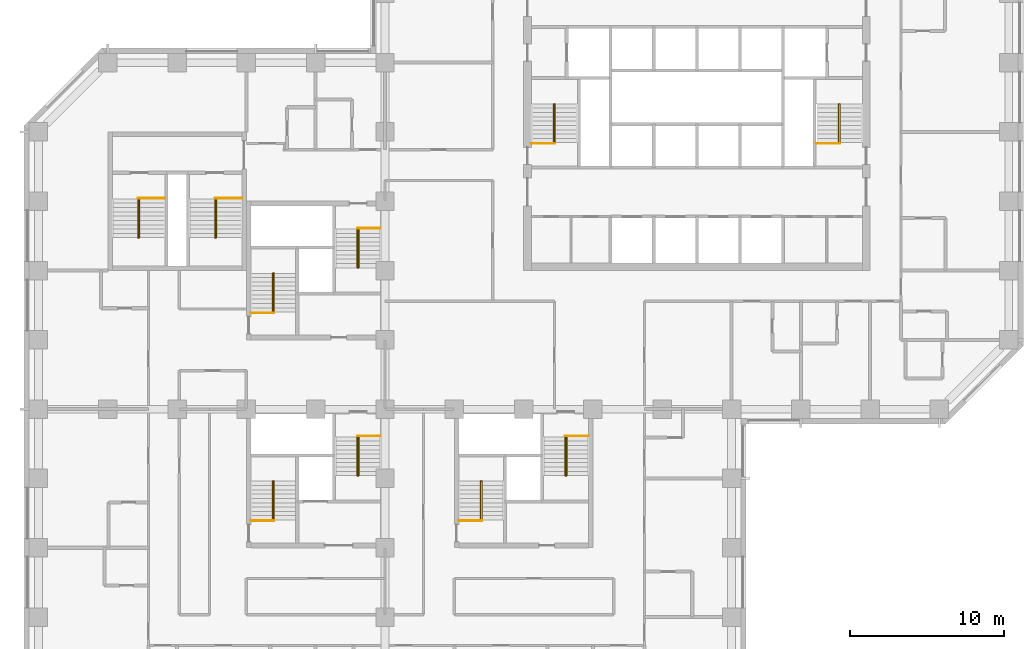
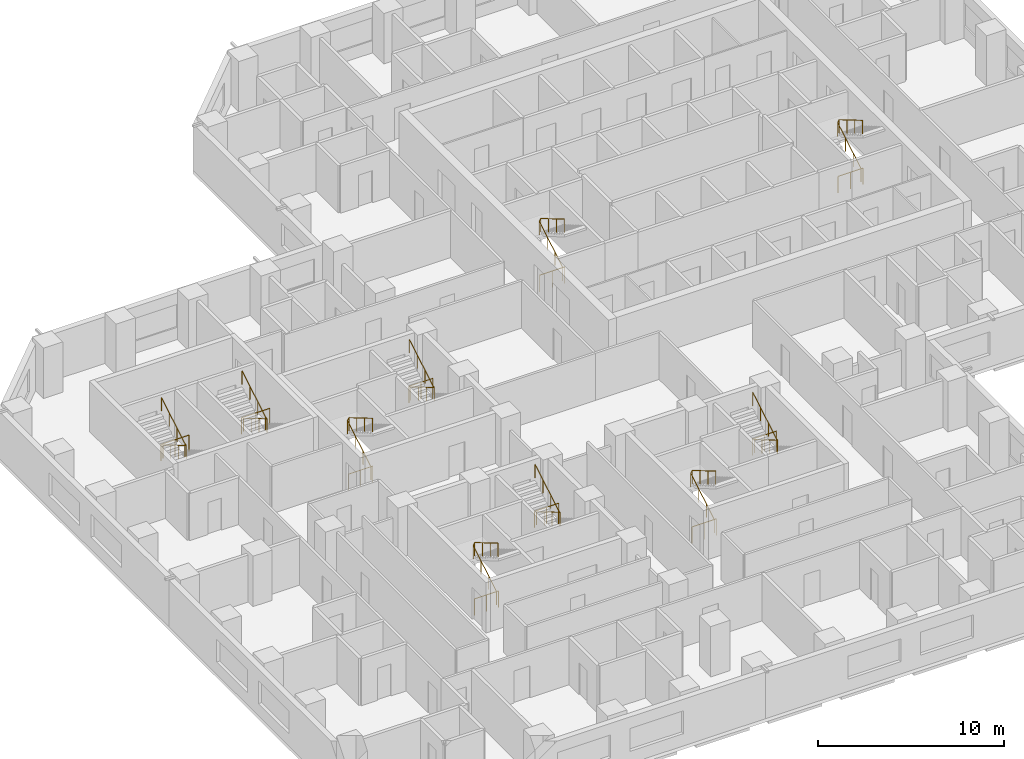
# One storey, part 13 of 13: 20 railings.
"""IFC4 building model written with IfcOpenShell, lengths in metres."""

from ifc_helpers import new_model, si_unit, direction, frame, origin, origin_2d, place, context, subcontext, project, spatial, circle, extrude, material, type_object, element, save


model = new_model("IFC4")

# Units and contexts
model_context = context("Model", 3, precision=1e-05, world=origin(), true_north=direction((0.0, 1.0)))
body_context = subcontext(model_context, "Body", "Model", "MODEL_VIEW")
ifc_project = project(units=[si_unit("LENGTHUNIT", "METRE"), si_unit("AREAUNIT", "SQUARE_METRE"), si_unit("VOLUMEUNIT", "CUBIC_METRE"), si_unit("PLANEANGLEUNIT", "RADIAN"), si_unit("MASSUNIT", "GRAM", prefix="KILO")], contexts=[model_context])

# Site, building, storey
site_placement = place(None, origin())
site = spatial("IfcSite", under=ifc_project, at=site_placement, CompositionType="ELEMENT")
building_placement = place(site_placement, origin())
building = spatial("IfcBuilding", under=site, at=building_placement, Name="Quoin Convention Tower", CompositionType="ELEMENT")
storey_placement = place(building_placement, frame((0.0, 0.0, 62.699951171875)))
storey = spatial("IfcBuildingStorey", under=building, at=storey_placement, Name="L16", CompositionType="ELEMENT", Elevation=62.699951171875)

# Railings
ifc_material = material(Name="Stainless steel", Category="steel")
railing_type_1 = type_object("IfcRailingType", Name="Stair handrail 900", PredefinedType="HANDRAIL", material=ifc_material)
for number, where, name in (
    (1, (46.955078125, 57.800048828125, 0.1650390625), "SD1 handrail 1"),
    (2, (65.455078125, 57.800048828125, 0.1650390625), "SD2 handrail 1"),
    (3, (28.705078125, 46.800048828125, 0.1650390625), "SD3 handrail 1"),
):
    element("IfcRailing", number, at=place(storey_placement, frame(where)), inside=storey, type_object=railing_type_1, Name=name, PredefinedType="HANDRAIL", context=body_context, shape_type="SweptSolid", body=[
        extrude(circle(Radius=0.02392578125, at=origin_2d()), frame((0.0, 0.0, 0.8759765625), z_axis=(0.0, 0.86152411907, 0.507716645641), x_axis=(-1.0, 0.0, 0.0)), (0.0, 0.0, 1.0), 2.925048828125),
        extrude(circle(Radius=0.02392578125, at=origin_2d()), frame((0.0, 2.52001953125, 2.36083984375), z_axis=(0.478669852, 0.0, 0.877994973098), x_axis=(0.0, 1.0, 0.0)), (0.0, 0.0, 1.0), 0.187744140625),
        extrude(circle(Radius=0.02392578125, at=origin_2d()), frame((0.08984375, 2.52001953125, 2.52587890625), z_axis=(0.0, -0.86152411907, 0.507716645641), x_axis=(1.0, 0.0, 0.0)), (0.0, 0.0, 1.0), 2.925048828125),
        extrude(circle(Radius=0.02099609375, at=origin_2d()), origin(), (0.0, 0.0, 1.0), 0.851806640625),
        extrude(circle(Radius=0.02099609375, at=origin_2d()), frame((0.0, 0.840087890625, 0.4951171875)), (0.0, 0.0, 1.0), 0.851806640625),
        extrude(circle(Radius=0.02099609375, at=origin_2d()), frame((0.0, 1.679931640625, 0.989990234375)), (0.0, 0.0, 1.0), 0.851806640625),
        extrude(circle(Radius=0.02099609375, at=origin_2d()), frame((0.0, 2.52001953125, 1.485107421875)), (0.0, 0.0, 1.0), 0.851806640625),
        extrude(circle(Radius=0.02099609375, at=origin_2d()), frame((0.08984375, 2.52001953125, 1.64990234375)), (0.0, 0.0, 1.0), 0.851806640625),
        extrude(circle(Radius=0.02099609375, at=origin_2d()), frame((0.08984375, 1.679931640625, 2.14501953125)), (0.0, 0.0, 1.0), 0.851806640625),
        extrude(circle(Radius=0.02099609375, at=origin_2d()), frame((0.08984375, 0.840087890625, 2.639892578125)), (0.0, 0.0, 1.0), 0.851806640625),
        extrude(circle(Radius=0.02099609375, at=origin_2d()), frame((0.08984375, 0.0, 3.135009765625)), (0.0, 0.0, 1.0), 0.851806640625),
    ])
railing_1_placement = place(storey_placement, frame((34.294921875, 52.199951171875, 0.1650390625)))
element("IfcRailing", 4, at=railing_1_placement, inside=storey, type_object=railing_type_1, Name="SD4 handrail 1", PredefinedType="HANDRAIL", context=body_context, shape_type="SweptSolid", body=[
    extrude(circle(Radius=0.02392578125, at=origin_2d()), frame((0.0, 0.0, 0.8759765625), z_axis=(0.0, -0.86152411907, 0.507716645641), x_axis=(1.0, 0.0, 0.0)), (0.0, 0.0, 1.0), 2.925048828125),
    extrude(circle(Radius=0.02392578125, at=origin_2d()), frame((0.0, -2.52001953125, 2.36083984375), z_axis=(-0.478669852, 0.0, 0.877994973098), x_axis=(0.0, -1.0, 0.0)), (0.0, 0.0, 1.0), 0.187744140625),
    extrude(circle(Radius=0.02392578125, at=origin_2d()), frame((-0.08984375, -2.52001953125, 2.52587890625), z_axis=(0.0, 0.86152411907, 0.507716645641), x_axis=(-1.0, 0.0, 0.0)), (0.0, 0.0, 1.0), 2.925048828125),
    extrude(circle(Radius=0.02099609375, at=origin_2d()), origin(), (0.0, 0.0, 1.0), 0.851806640625),
    extrude(circle(Radius=0.02099609375, at=origin_2d()), frame((0.0, -0.840087890625, 0.4951171875)), (0.0, 0.0, 1.0), 0.851806640625),
    extrude(circle(Radius=0.02099609375, at=origin_2d()), frame((0.0, -1.679931640625, 0.989990234375)), (0.0, 0.0, 1.0), 0.851806640625),
    extrude(circle(Radius=0.02099609375, at=origin_2d()), frame((0.0, -2.52001953125, 1.485107421875)), (0.0, 0.0, 1.0), 0.851806640625),
    extrude(circle(Radius=0.02099609375, at=origin_2d()), frame((-0.08984375, -2.52001953125, 1.64990234375)), (0.0, 0.0, 1.0), 0.851806640625),
    extrude(circle(Radius=0.02099609375, at=origin_2d()), frame((-0.08984375, -1.679931640625, 2.14501953125)), (0.0, 0.0, 1.0), 0.851806640625),
    extrude(circle(Radius=0.02099609375, at=origin_2d()), frame((-0.08984375, -0.840087890625, 2.639892578125)), (0.0, 0.0, 1.0), 0.851806640625),
    extrude(circle(Radius=0.02099609375, at=origin_2d()), frame((-0.08984375, 0.0, 3.135009765625)), (0.0, 0.0, 1.0), 0.851806640625),
])
railing_2_placement = place(storey_placement, frame((42.205078125, 33.300048828125, 0.1650390625)))
element("IfcRailing", 5, at=railing_2_placement, inside=storey, type_object=railing_type_1, Name="SD5 handrail 1", PredefinedType="HANDRAIL", context=body_context, shape_type="SweptSolid", body=[
    extrude(circle(Radius=0.02392578125, at=origin_2d()), frame((0.0, 0.0, 0.8759765625), z_axis=(0.0, 0.86152411907, 0.507716645641), x_axis=(-1.0, 0.0, 0.0)), (0.0, 0.0, 1.0), 2.925048828125),
    extrude(circle(Radius=0.02392578125, at=origin_2d()), frame((0.0, 2.52001953125, 2.36083984375), z_axis=(0.478669852, 0.0, 0.877994973098), x_axis=(0.0, 1.0, 0.0)), (0.0, 0.0, 1.0), 0.187744140625),
    extrude(circle(Radius=0.02392578125, at=origin_2d()), frame((0.08984375, 2.52001953125, 2.52587890625), z_axis=(0.0, -0.86152411907, 0.507716645641), x_axis=(1.0, 0.0, 0.0)), (0.0, 0.0, 1.0), 2.925048828125),
    extrude(circle(Radius=0.02099609375, at=origin_2d()), origin(), (0.0, 0.0, 1.0), 0.851806640625),
    extrude(circle(Radius=0.02099609375, at=origin_2d()), frame((0.0, 0.840087890625, 0.4951171875)), (0.0, 0.0, 1.0), 0.851806640625),
    extrude(circle(Radius=0.02099609375, at=origin_2d()), frame((0.0, 1.679931640625, 0.989990234375)), (0.0, 0.0, 1.0), 0.851806640625),
    extrude(circle(Radius=0.02099609375, at=origin_2d()), frame((0.0, 2.52001953125, 1.485107421875)), (0.0, 0.0, 1.0), 0.851806640625),
    extrude(circle(Radius=0.02099609375, at=origin_2d()), frame((0.08984375, 2.52001953125, 1.64990234375)), (0.0, 0.0, 1.0), 0.851806640625),
    extrude(circle(Radius=0.02099609375, at=origin_2d()), frame((0.08984375, 1.679931640625, 2.14501953125)), (0.0, 0.0, 1.0), 0.851806640625),
    extrude(circle(Radius=0.02099609375, at=origin_2d()), frame((0.08984375, 0.840087890625, 2.639892578125)), (0.0, 0.0, 1.0), 0.851806640625),
    extrude(circle(Radius=0.02099609375, at=origin_2d()), frame((0.08984375, 0.0, 3.135009765625)), (0.0, 0.0, 1.0), 0.851806640625),
])
railing_3_placement = place(storey_placement, frame((47.794921875, 38.699951171875, 0.1650390625)))
element("IfcRailing", 6, at=railing_3_placement, inside=storey, type_object=railing_type_1, Name="SD6 handrail 1", PredefinedType="HANDRAIL", context=body_context, shape_type="SweptSolid", body=[
    extrude(circle(Radius=0.02392578125, at=origin_2d()), frame((0.0, 0.0, 0.8759765625), z_axis=(0.0, -0.86152411907, 0.507716645641), x_axis=(1.0, 0.0, 0.0)), (0.0, 0.0, 1.0), 2.925048828125),
    extrude(circle(Radius=0.02392578125, at=origin_2d()), frame((0.0, -2.52001953125, 2.36083984375), z_axis=(-0.478669852, 0.0, 0.877994973098), x_axis=(0.0, -1.0, 0.0)), (0.0, 0.0, 1.0), 0.187744140625),
    extrude(circle(Radius=0.02392578125, at=origin_2d()), frame((-0.08984375, -2.52001953125, 2.52587890625), z_axis=(0.0, 0.86152411907, 0.507716645641), x_axis=(-1.0, 0.0, 0.0)), (0.0, 0.0, 1.0), 2.925048828125),
    extrude(circle(Radius=0.02099609375, at=origin_2d()), origin(), (0.0, 0.0, 1.0), 0.851806640625),
    extrude(circle(Radius=0.02099609375, at=origin_2d()), frame((0.0, -0.840087890625, 0.4951171875)), (0.0, 0.0, 1.0), 0.851806640625),
    extrude(circle(Radius=0.02099609375, at=origin_2d()), frame((0.0, -1.679931640625, 0.989990234375)), (0.0, 0.0, 1.0), 0.851806640625),
    extrude(circle(Radius=0.02099609375, at=origin_2d()), frame((0.0, -2.52001953125, 1.485107421875)), (0.0, 0.0, 1.0), 0.851806640625),
    extrude(circle(Radius=0.02099609375, at=origin_2d()), frame((-0.08984375, -2.52001953125, 1.64990234375)), (0.0, 0.0, 1.0), 0.851806640625),
    extrude(circle(Radius=0.02099609375, at=origin_2d()), frame((-0.08984375, -1.679931640625, 2.14501953125)), (0.0, 0.0, 1.0), 0.851806640625),
    extrude(circle(Radius=0.02099609375, at=origin_2d()), frame((-0.08984375, -0.840087890625, 2.639892578125)), (0.0, 0.0, 1.0), 0.851806640625),
    extrude(circle(Radius=0.02099609375, at=origin_2d()), frame((-0.08984375, 0.0, 3.135009765625)), (0.0, 0.0, 1.0), 0.851806640625),
])
railing_4_placement = place(storey_placement, frame((28.705078125, 33.300048828125, 0.1650390625)))
element("IfcRailing", 7, at=railing_4_placement, inside=storey, type_object=railing_type_1, Name="SD7 handrail 1", PredefinedType="HANDRAIL", context=body_context, shape_type="SweptSolid", body=[
    extrude(circle(Radius=0.02392578125, at=origin_2d()), frame((0.0, 0.0, 0.8759765625), z_axis=(0.0, 0.86152411907, 0.507716645641), x_axis=(-1.0, 0.0, 0.0)), (0.0, 0.0, 1.0), 2.925048828125),
    extrude(circle(Radius=0.02392578125, at=origin_2d()), frame((0.0, 2.52001953125, 2.36083984375), z_axis=(0.478669852, 0.0, 0.877994973098), x_axis=(0.0, 1.0, 0.0)), (0.0, 0.0, 1.0), 0.187744140625),
    extrude(circle(Radius=0.02392578125, at=origin_2d()), frame((0.08984375, 2.52001953125, 2.52587890625), z_axis=(0.0, -0.86152411907, 0.507716645641), x_axis=(1.0, 0.0, 0.0)), (0.0, 0.0, 1.0), 2.925048828125),
    extrude(circle(Radius=0.02099609375, at=origin_2d()), origin(), (0.0, 0.0, 1.0), 0.851806640625),
    extrude(circle(Radius=0.02099609375, at=origin_2d()), frame((0.0, 0.840087890625, 0.4951171875)), (0.0, 0.0, 1.0), 0.851806640625),
    extrude(circle(Radius=0.02099609375, at=origin_2d()), frame((0.0, 1.679931640625, 0.989990234375)), (0.0, 0.0, 1.0), 0.851806640625),
    extrude(circle(Radius=0.02099609375, at=origin_2d()), frame((0.0, 2.52001953125, 1.485107421875)), (0.0, 0.0, 1.0), 0.851806640625),
    extrude(circle(Radius=0.02099609375, at=origin_2d()), frame((0.08984375, 2.52001953125, 1.64990234375)), (0.0, 0.0, 1.0), 0.851806640625),
    extrude(circle(Radius=0.02099609375, at=origin_2d()), frame((0.08984375, 1.679931640625, 2.14501953125)), (0.0, 0.0, 1.0), 0.851806640625),
    extrude(circle(Radius=0.02099609375, at=origin_2d()), frame((0.08984375, 0.840087890625, 2.639892578125)), (0.0, 0.0, 1.0), 0.851806640625),
    extrude(circle(Radius=0.02099609375, at=origin_2d()), frame((0.08984375, 0.0, 3.135009765625)), (0.0, 0.0, 1.0), 0.851806640625),
])
for number, where, name in (
    (8, (34.294921875, 38.699951171875, 0.1650390625), "SD8 handrail 1"),
    (9, (20.044921875, 54.14990234375, 0.1650390625), "SD11 handrail 1"),
    (10, (25.044921875, 54.14990234375, 0.1650390625), "SD12 handrail 1"),
):
    element("IfcRailing", number, at=place(storey_placement, frame(where)), inside=storey, type_object=railing_type_1, Name=name, PredefinedType="HANDRAIL", context=body_context, shape_type="SweptSolid", body=[
        extrude(circle(Radius=0.02392578125, at=origin_2d()), frame((0.0, 0.0, 0.8759765625), z_axis=(0.0, -0.86152411907, 0.507716645641), x_axis=(1.0, 0.0, 0.0)), (0.0, 0.0, 1.0), 2.925048828125),
        extrude(circle(Radius=0.02392578125, at=origin_2d()), frame((0.0, -2.52001953125, 2.36083984375), z_axis=(-0.478669852, 0.0, 0.877994973098), x_axis=(0.0, -1.0, 0.0)), (0.0, 0.0, 1.0), 0.187744140625),
        extrude(circle(Radius=0.02392578125, at=origin_2d()), frame((-0.08984375, -2.52001953125, 2.52587890625), z_axis=(0.0, 0.86152411907, 0.507716645641), x_axis=(-1.0, 0.0, 0.0)), (0.0, 0.0, 1.0), 2.925048828125),
        extrude(circle(Radius=0.02099609375, at=origin_2d()), origin(), (0.0, 0.0, 1.0), 0.851806640625),
        extrude(circle(Radius=0.02099609375, at=origin_2d()), frame((0.0, -0.840087890625, 0.4951171875)), (0.0, 0.0, 1.0), 0.851806640625),
        extrude(circle(Radius=0.02099609375, at=origin_2d()), frame((0.0, -1.679931640625, 0.989990234375)), (0.0, 0.0, 1.0), 0.851806640625),
        extrude(circle(Radius=0.02099609375, at=origin_2d()), frame((0.0, -2.52001953125, 1.485107421875)), (0.0, 0.0, 1.0), 0.851806640625),
        extrude(circle(Radius=0.02099609375, at=origin_2d()), frame((-0.08984375, -2.52001953125, 1.64990234375)), (0.0, 0.0, 1.0), 0.851806640625),
        extrude(circle(Radius=0.02099609375, at=origin_2d()), frame((-0.08984375, -1.679931640625, 2.14501953125)), (0.0, 0.0, 1.0), 0.851806640625),
        extrude(circle(Radius=0.02099609375, at=origin_2d()), frame((-0.08984375, -0.840087890625, 2.639892578125)), (0.0, 0.0, 1.0), 0.851806640625),
        extrude(circle(Radius=0.02099609375, at=origin_2d()), frame((-0.08984375, 0.0, 3.135009765625)), (0.0, 0.0, 1.0), 0.851806640625),
    ])
railing_type_2 = type_object("IfcRailingType", Name="Stair top guard 1100", PredefinedType="GUARDRAIL", material=ifc_material)
for number, where, name in (
    (11, (45.5, 57.75, 0.0), "SD1 top guard"),
    (12, (64.0, 57.75, 0.0), "SD2 top guard"),
):
    element("IfcRailing", number, at=place(storey_placement, frame(where)), inside=storey, type_object=railing_type_2, Name=name, PredefinedType="GUARDRAIL", context=body_context, shape_type="SweptSolid", body=[
        extrude(circle(Radius=0.02392578125, at=origin_2d()), frame((0.0, 0.0, 1.076171875), z_axis=(1.0, 0.0, 0.0), x_axis=(0.0, 1.0, 0.0)), (0.0, 0.0, 1.0), 1.544921875),
        extrude(circle(Radius=0.02099609375, at=origin_2d()), origin(), (0.0, 0.0, 1.0), 1.052001953125),
        extrude(circle(Radius=0.02099609375, at=origin_2d()), frame((0.7724609375, 0.0, 0.0)), (0.0, 0.0, 1.0), 1.052001953125),
        extrude(circle(Radius=0.02099609375, at=origin_2d()), frame((1.544921875, 0.0, 0.0)), (0.0, 0.0, 1.0), 1.052001953125),
    ])
railing_5_placement = place(storey_placement, frame((27.300048828125, 46.75, 0.0)))
element("IfcRailing", 13, at=railing_5_placement, inside=storey, type_object=railing_type_2, Name="SD3 top guard", PredefinedType="GUARDRAIL", context=body_context, shape_type="SweptSolid", body=[
    extrude(circle(Radius=0.02392578125, at=origin_2d()), frame((0.0, 0.0, 1.076171875), z_axis=(1.0, 0.0, 0.0), x_axis=(0.0, 1.0, 0.0)), (0.0, 0.0, 1.0), 1.494873046875),
    extrude(circle(Radius=0.02099609375, at=origin_2d()), origin(), (0.0, 0.0, 1.0), 1.052001953125),
    extrude(circle(Radius=0.02099609375, at=origin_2d()), frame((0.74755859375, 0.0, 0.0)), (0.0, 0.0, 1.0), 1.052001953125),
    extrude(circle(Radius=0.02099609375, at=origin_2d()), frame((1.494873046875, 0.0, 0.0)), (0.0, 0.0, 1.0), 1.052001953125),
])
railing_6_placement = place(storey_placement, frame((35.699951171875, 52.25, 0.0)))
element("IfcRailing", 14, at=railing_6_placement, inside=storey, type_object=railing_type_2, Name="SD4 top guard", PredefinedType="GUARDRAIL", context=body_context, shape_type="SweptSolid", body=[
    extrude(circle(Radius=0.02392578125, at=origin_2d()), frame((0.0, 0.0, 1.076171875), z_axis=(-1.0, 0.0, 0.0), x_axis=(0.0, -1.0, 0.0)), (0.0, 0.0, 1.0), 1.494873046875),
    extrude(circle(Radius=0.02099609375, at=origin_2d()), origin(), (0.0, 0.0, 1.0), 1.052001953125),
    extrude(circle(Radius=0.02099609375, at=origin_2d()), frame((-0.74755859375, 0.0, 0.0)), (0.0, 0.0, 1.0), 1.052001953125),
    extrude(circle(Radius=0.02099609375, at=origin_2d()), frame((-1.494873046875, 0.0, 0.0)), (0.0, 0.0, 1.0), 1.052001953125),
])
railing_7_placement = place(storey_placement, frame((40.800048828125, 33.25, 0.0)))
element("IfcRailing", 15, at=railing_7_placement, inside=storey, type_object=railing_type_2, Name="SD5 top guard", PredefinedType="GUARDRAIL", context=body_context, shape_type="SweptSolid", body=[
    extrude(circle(Radius=0.02392578125, at=origin_2d()), frame((0.0, 0.0, 1.076171875), z_axis=(1.0, 0.0, 0.0), x_axis=(0.0, 1.0, 0.0)), (0.0, 0.0, 1.0), 1.494873046875),
    extrude(circle(Radius=0.02099609375, at=origin_2d()), origin(), (0.0, 0.0, 1.0), 1.052001953125),
    extrude(circle(Radius=0.02099609375, at=origin_2d()), frame((0.74755859375, 0.0, 0.0)), (0.0, 0.0, 1.0), 1.052001953125),
    extrude(circle(Radius=0.02099609375, at=origin_2d()), frame((1.494873046875, 0.0, 0.0)), (0.0, 0.0, 1.0), 1.052001953125),
])
railing_8_placement = place(storey_placement, frame((49.199951171875, 38.75, 0.0)))
element("IfcRailing", 16, at=railing_8_placement, inside=storey, type_object=railing_type_2, Name="SD6 top guard", PredefinedType="GUARDRAIL", context=body_context, shape_type="SweptSolid", body=[
    extrude(circle(Radius=0.02392578125, at=origin_2d()), frame((0.0, 0.0, 1.076171875), z_axis=(-1.0, 0.0, 0.0), x_axis=(0.0, -1.0, 0.0)), (0.0, 0.0, 1.0), 1.494873046875),
    extrude(circle(Radius=0.02099609375, at=origin_2d()), origin(), (0.0, 0.0, 1.0), 1.052001953125),
    extrude(circle(Radius=0.02099609375, at=origin_2d()), frame((-0.74755859375, 0.0, 0.0)), (0.0, 0.0, 1.0), 1.052001953125),
    extrude(circle(Radius=0.02099609375, at=origin_2d()), frame((-1.494873046875, 0.0, 0.0)), (0.0, 0.0, 1.0), 1.052001953125),
])
railing_9_placement = place(storey_placement, frame((27.300048828125, 33.25, 0.0)))
element("IfcRailing", 17, at=railing_9_placement, inside=storey, type_object=railing_type_2, Name="SD7 top guard", PredefinedType="GUARDRAIL", context=body_context, shape_type="SweptSolid", body=[
    extrude(circle(Radius=0.02392578125, at=origin_2d()), frame((0.0, 0.0, 1.076171875), z_axis=(1.0, 0.0, 0.0), x_axis=(0.0, 1.0, 0.0)), (0.0, 0.0, 1.0), 1.494873046875),
    extrude(circle(Radius=0.02099609375, at=origin_2d()), origin(), (0.0, 0.0, 1.0), 1.052001953125),
    extrude(circle(Radius=0.02099609375, at=origin_2d()), frame((0.74755859375, 0.0, 0.0)), (0.0, 0.0, 1.0), 1.052001953125),
    extrude(circle(Radius=0.02099609375, at=origin_2d()), frame((1.494873046875, 0.0, 0.0)), (0.0, 0.0, 1.0), 1.052001953125),
])
railing_10_placement = place(storey_placement, frame((35.699951171875, 38.75, 0.0)))
element("IfcRailing", 18, at=railing_10_placement, inside=storey, type_object=railing_type_2, Name="SD8 top guard", PredefinedType="GUARDRAIL", context=body_context, shape_type="SweptSolid", body=[
    extrude(circle(Radius=0.02392578125, at=origin_2d()), frame((0.0, 0.0, 1.076171875), z_axis=(-1.0, 0.0, 0.0), x_axis=(0.0, -1.0, 0.0)), (0.0, 0.0, 1.0), 1.494873046875),
    extrude(circle(Radius=0.02099609375, at=origin_2d()), origin(), (0.0, 0.0, 1.0), 1.052001953125),
    extrude(circle(Radius=0.02099609375, at=origin_2d()), frame((-0.74755859375, 0.0, 0.0)), (0.0, 0.0, 1.0), 1.052001953125),
    extrude(circle(Radius=0.02099609375, at=origin_2d()), frame((-1.494873046875, 0.0, 0.0)), (0.0, 0.0, 1.0), 1.052001953125),
])
for number, where, name in (
    (19, (21.699951171875, 54.199951171875, 0.0), "SD11 top guard"),
    (20, (26.699951171875, 54.199951171875, 0.0), "SD12 top guard"),
):
    element("IfcRailing", number, at=place(storey_placement, frame(where)), inside=storey, type_object=railing_type_2, Name=name, PredefinedType="GUARDRAIL", context=body_context, shape_type="SweptSolid", body=[
        extrude(circle(Radius=0.02392578125, at=origin_2d()), frame((0.0, 0.0, 1.076171875), z_axis=(-1.0, 0.0, 0.0), x_axis=(0.0, -1.0, 0.0)), (0.0, 0.0, 1.0), 1.744873046875),
        extrude(circle(Radius=0.02099609375, at=origin_2d()), origin(), (0.0, 0.0, 1.0), 1.052001953125),
        extrude(circle(Radius=0.02099609375, at=origin_2d()), frame((-0.87255859375, 0.0, 0.0)), (0.0, 0.0, 1.0), 1.052001953125),
        extrude(circle(Radius=0.02099609375, at=origin_2d()), frame((-1.744873046875, 0.0, 0.0)), (0.0, 0.0, 1.0), 1.052001953125),
    ])

save(model, "model.ifc")
